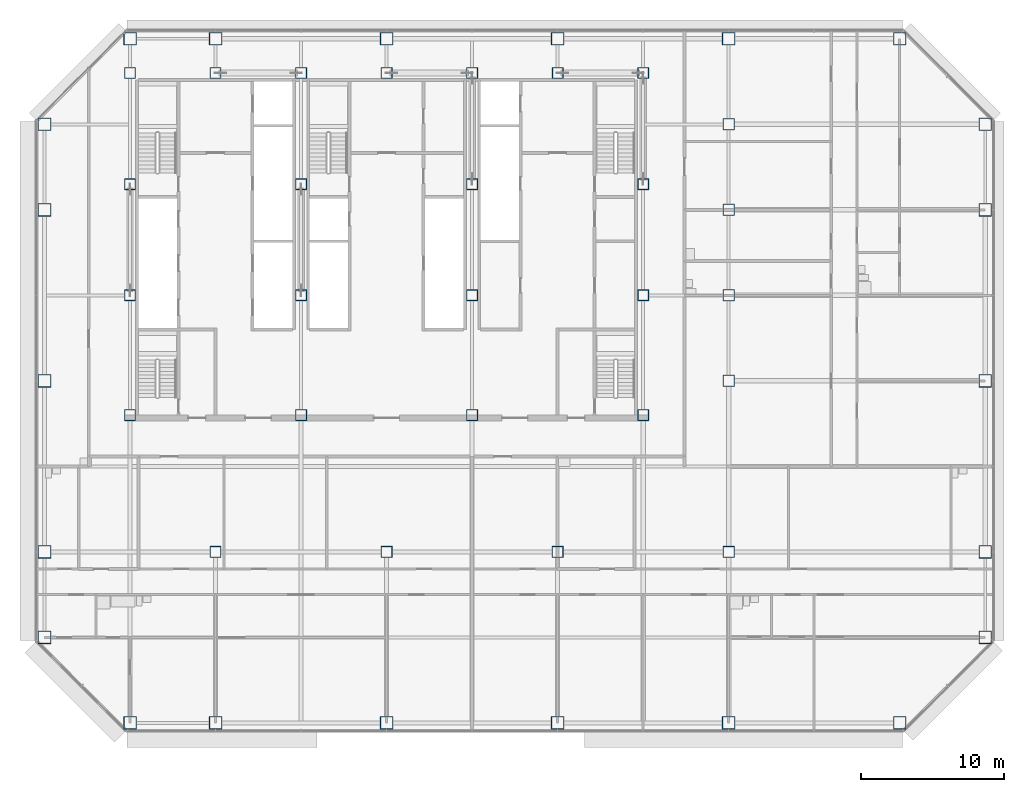
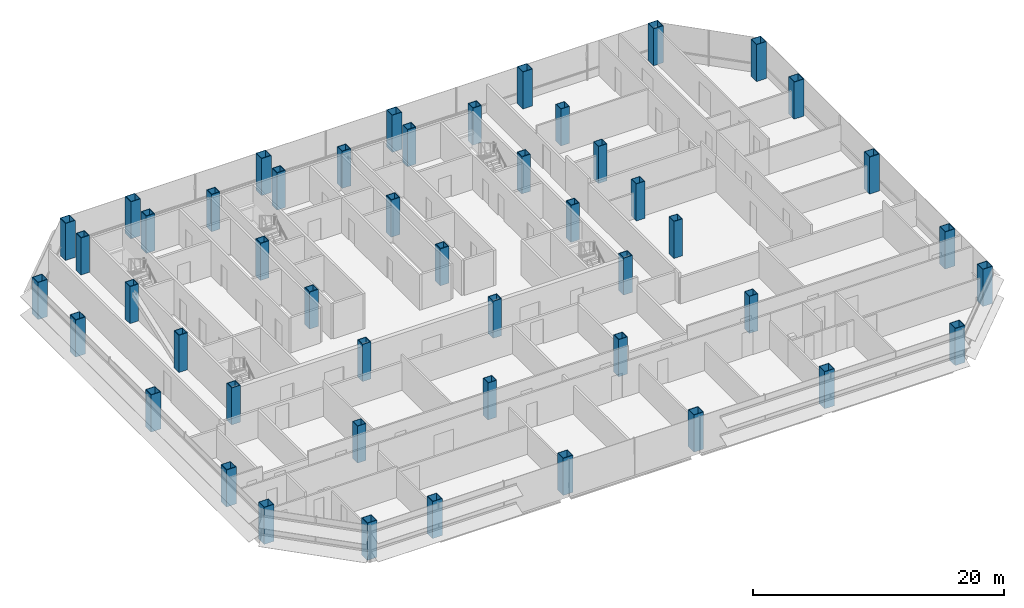
# One storey, part 1 of 27: 49 columns.
"""IFC4 building model written with IfcOpenShell, lengths in metres."""

from ifc_helpers import new_model, si_unit, direction, frame, origin, origin_2d, place, context, subcontext, project, spatial, hollow_rectangle, extrude, material, material_profile, profile_set, type_object, element, save


model = new_model("IFC4")

# Units and contexts
model_context = context("Model", 3, precision=1e-05, world=origin(), true_north=direction((0.0, 1.0)))
body_context = subcontext(model_context, "Body", "Model", "MODEL_VIEW")
ifc_project = project(units=[si_unit("LENGTHUNIT", "METRE"), si_unit("AREAUNIT", "SQUARE_METRE"), si_unit("VOLUMEUNIT", "CUBIC_METRE"), si_unit("PLANEANGLEUNIT", "RADIAN"), si_unit("MASSUNIT", "GRAM", prefix="KILO")], contexts=[model_context])

# Site, building, storey
site_placement = place(None, origin())
site = spatial("IfcSite", under=ifc_project, at=site_placement, CompositionType="ELEMENT")
building_placement = place(site_placement, origin())
building = spatial("IfcBuilding", under=site, at=building_placement, Name="Sorahane Residences", CompositionType="ELEMENT")
storey_placement = place(building_placement, frame((0.0, 0.0, 78.60009765625)))
storey = spatial("IfcBuildingStorey", under=building, at=storey_placement, Name="L16", CompositionType="ELEMENT", Elevation=78.60009765625)

# Columns
ifc_material_1 = material(Name="Steel Q355B", Category="steel")
ifc_material_profile_1 = material_profile(ifc_material_1, hollow_rectangle(XDim=0.800048828125, YDim=0.800048828125, WallThickness=0.0400390625, at=origin_2d()), Name="BOX 800x800x40")
ifc_profile_set_1 = profile_set([ifc_material_profile_1], Name="Steel Q355B")
column_type_1 = type_object("IfcColumnType", Name="Steel box column BOX 800x800x40 Q355B", PredefinedType="COLUMN", material=ifc_profile_set_1)
for number, where, z_axis, x_axis, name in (
    (1, (12.0, 12.0, 0.0), (0.0, 0.0, 1.0), (1.0, 0.0, 0.0), "Column L16 12/12"),
    (2, (24.0, 12.0, 0.0), (0.0, 0.0, 1.0), (1.0, 0.0, 0.0), "Column L16 24/12"),
    (3, (36.0, 12.0, 0.0), (0.0, 0.0, 1.0), (1.0, 0.0, 0.0), "Column L16 36/12"),
    (4, (48.0, 12.0, 0.0), (0.0, 0.0, 1.0), (1.0, 0.0, 0.0), "Column L16 48/12"),
    (5, (48.0, 24.0, 0.0), (0.0, 0.0, 1.0), (1.0, 0.0, 0.0), "Column L16 48/24"),
    (6, (48.0, 30.0, 0.0), (0.0, 0.0, 1.0), (1.0, 0.0, 0.0), "Column L16 48/30"),
    (7, (48.0, 36.0, 0.0), (0.0, 0.0, 1.0), (1.0, 0.0, 0.0), "Column L16 48/36"),
    (8, (48.0, 42.0, 0.0), (0.0, 0.0, 1.0), (1.0, 0.0, 0.0), "Column L16 48/42"),
):
    element("IfcColumn", number, at=place(storey_placement, frame(where, z_axis=z_axis, x_axis=x_axis)), inside=storey, type_object=column_type_1, Name=name, PredefinedType="COLUMN", context=body_context, shape_type="SweptSolid", body=[
        extrude(hollow_rectangle(XDim=0.800048828125, YDim=0.800048828125, WallThickness=0.0400390625, at=origin_2d()), origin(), (0.0, 0.0, 1.0), 3.599853515625),
    ])
ifc_material_2 = material(Name="Steel Q420GJ", Category="steel")
ifc_material_profile_2 = material_profile(ifc_material_2, hollow_rectangle(XDim=0.800048828125, YDim=0.800048828125, WallThickness=0.06005859375, at=origin_2d()), Name="BOX 800x800x60")
ifc_profile_set_2 = profile_set([ifc_material_profile_2], Name="Steel Q420GJ")
column_type_2 = type_object("IfcColumnType", Name="Steel box column BOX 800x800x60 Q420GJ", PredefinedType="COLUMN", material=ifc_profile_set_2)
for number, where, z_axis, x_axis, name in (
    (9, (6.0, 21.60009765625, 0.0), (0.0, 0.0, 1.0), (1.0, 0.0, 0.0), "Column L16 6/21.6"),
    (10, (6.0, 30.0, 0.0), (0.0, 0.0, 1.0), (1.0, 0.0, 0.0), "Column L16 6/30"),
    (11, (6.0, 37.800048828125, 0.0), (0.0, 0.0, 1.0), (1.0, 0.0, 0.0), "Column L16 6/37.8"),
    (12, (6.0, 45.60009765625, 0.0), (0.0, 0.0, 1.0), (1.0, 0.0, 0.0), "Column L16 6/45.6"),
    (13, (12.0, 45.60009765625, 0.0), (0.0, 0.0, 1.0), (1.0, 0.0, 0.0), "Column L16 12/45.6"),
    (14, (18.0, 21.60009765625, 0.0), (0.0, 0.0, 1.0), (1.0, 0.0, 0.0), "Column L16 18/21.6"),
    (15, (18.0, 30.0, 0.0), (0.0, 0.0, 1.0), (1.0, 0.0, 0.0), "Column L16 18/30"),
    (16, (18.0, 37.800048828125, 0.0), (0.0, 0.0, 1.0), (1.0, 0.0, 0.0), "Column L16 18/37.8"),
    (17, (18.0, 45.60009765625, 0.0), (0.0, 0.0, 1.0), (1.0, 0.0, 0.0), "Column L16 18/45.6"),
    (18, (24.0, 45.60009765625, 0.0), (0.0, 0.0, 1.0), (1.0, 0.0, 0.0), "Column L16 24/45.6"),
    (19, (30.0, 21.60009765625, 0.0), (0.0, 0.0, 1.0), (1.0, 0.0, 0.0), "Column L16 30/21.6"),
    (20, (30.0, 30.0, 0.0), (0.0, 0.0, 1.0), (1.0, 0.0, 0.0), "Column L16 30/30"),
    (21, (30.0, 37.800048828125, 0.0), (0.0, 0.0, 1.0), (1.0, 0.0, 0.0), "Column L16 30/37.8"),
    (22, (30.0, 45.60009765625, 0.0), (0.0, 0.0, 1.0), (1.0, 0.0, 0.0), "Column L16 30/45.6"),
    (23, (36.0, 45.60009765625, 0.0), (0.0, 0.0, 1.0), (1.0, 0.0, 0.0), "Column L16 36/45.6"),
    (24, (42.0, 21.60009765625, 0.0), (0.0, 0.0, 1.0), (1.0, 0.0, 0.0), "Column L16 42/21.6"),
    (25, (42.0, 30.0, 0.0), (0.0, 0.0, 1.0), (1.0, 0.0, 0.0), "Column L16 42/30"),
    (26, (42.0, 37.800048828125, 0.0), (0.0, 0.0, 1.0), (1.0, 0.0, 0.0), "Column L16 42/37.8"),
    (27, (42.0, 45.60009765625, 0.0), (0.0, 0.0, 1.0), (1.0, 0.0, 0.0), "Column L16 42/45.6"),
):
    element("IfcColumn", number, at=place(storey_placement, frame(where, z_axis=z_axis, x_axis=x_axis)), inside=storey, type_object=column_type_2, Name=name, PredefinedType="COLUMN", context=body_context, shape_type="SweptSolid", body=[
        extrude(hollow_rectangle(XDim=0.800048828125, YDim=0.800048828125, WallThickness=0.06005859375, at=origin_2d()), origin(), (0.0, 0.0, 1.0), 3.599853515625),
    ])
ifc_material_3 = material(Name="Steel Q420GJ", Category="steel")
ifc_material_profile_3 = material_profile(ifc_material_3, hollow_rectangle(XDim=0.89990234375, YDim=0.89990234375, WallThickness=0.044921875, at=origin_2d()), Name="BOX 900x900x45")
ifc_profile_set_3 = profile_set([ifc_material_profile_3], Name="Steel Q420GJ")
column_type_3 = type_object("IfcColumnType", Name="Steel box column BOX 900x900x45 Q420GJ", PredefinedType="COLUMN", material=ifc_profile_set_3)
for number, where, z_axis, x_axis, name in (
    (28, (0.0, 6.0, 0.0), (0.0, 0.0, 1.0), (1.0, 0.0, 0.0), "Column L16 m0/6"),
    (29, (0.0, 12.0, 0.0), (0.0, 0.0, 1.0), (1.0, 0.0, 0.0), "Column L16 m0/12"),
    (30, (0.0, 24.0, 0.0), (0.0, 0.0, 1.0), (1.0, 0.0, 0.0), "Column L16 m0/24"),
    (31, (0.0, 36.0, 0.0), (0.0, 0.0, 1.0), (1.0, 0.0, 0.0), "Column L16 m0/36"),
    (32, (0.0, 42.0, 0.0), (0.0, 0.0, 1.0), (1.0, 0.0, 0.0), "Column L16 m0/42"),
    (33, (6.0, 0.0, 0.0), (0.0, 0.0, 1.0), (1.0, 0.0, 0.0), "Column L16 6/0"),
    (34, (6.0, 48.0, 0.0), (0.0, 0.0, 1.0), (1.0, 0.0, 0.0), "Column L16 6/48"),
    (35, (12.0, 0.0, 0.0), (0.0, 0.0, 1.0), (1.0, 0.0, 0.0), "Column L16 12/0"),
    (36, (12.0, 48.0, 0.0), (0.0, 0.0, 1.0), (1.0, 0.0, 0.0), "Column L16 12/48"),
    (37, (24.0, 0.0, 0.0), (0.0, 0.0, 1.0), (1.0, 0.0, 0.0), "Column L16 24/0"),
    (38, (24.0, 48.0, 0.0), (0.0, 0.0, 1.0), (1.0, 0.0, 0.0), "Column L16 24/48"),
    (39, (36.0, 0.0, 0.0), (0.0, 0.0, 1.0), (1.0, 0.0, 0.0), "Column L16 36/0"),
    (40, (36.0, 48.0, 0.0), (0.0, 0.0, 1.0), (1.0, 0.0, 0.0), "Column L16 36/48"),
    (41, (48.0, 0.0, 0.0), (0.0, 0.0, 1.0), (1.0, 0.0, 0.0), "Column L16 48/0"),
    (42, (48.0, 48.0, 0.0), (0.0, 0.0, 1.0), (1.0, 0.0, 0.0), "Column L16 48/48"),
    (43, (60.0, 0.0, 0.0), (0.0, 0.0, 1.0), (1.0, 0.0, 0.0), "Column L16 60/0"),
    (44, (60.0, 48.0, 0.0), (0.0, 0.0, 1.0), (1.0, 0.0, 0.0), "Column L16 60/48"),
    (45, (66.0, 6.0, 0.0), (0.0, 0.0, 1.0), (1.0, 0.0, 0.0), "Column L16 66/6"),
    (46, (66.0, 12.0, 0.0), (0.0, 0.0, 1.0), (1.0, 0.0, 0.0), "Column L16 66/12"),
    (47, (66.0, 24.0, 0.0), (0.0, 0.0, 1.0), (1.0, 0.0, 0.0), "Column L16 66/24"),
    (48, (66.0, 36.0, 0.0), (0.0, 0.0, 1.0), (1.0, 0.0, 0.0), "Column L16 66/36"),
    (49, (66.0, 42.0, 0.0), (0.0, 0.0, 1.0), (1.0, 0.0, 0.0), "Column L16 66/42"),
):
    element("IfcColumn", number, at=place(storey_placement, frame(where, z_axis=z_axis, x_axis=x_axis)), inside=storey, type_object=column_type_3, Name=name, PredefinedType="COLUMN", context=body_context, shape_type="SweptSolid", body=[
        extrude(hollow_rectangle(XDim=0.89990234375, YDim=0.89990234375, WallThickness=0.044921875, at=origin_2d()), origin(), (0.0, 0.0, 1.0), 3.599853515625),
    ])

save(model, "model.ifc")
